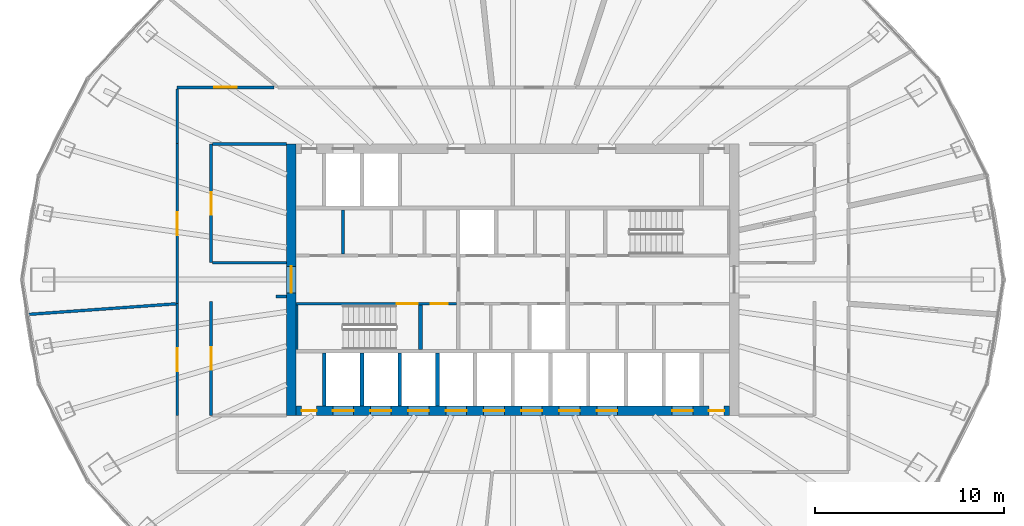
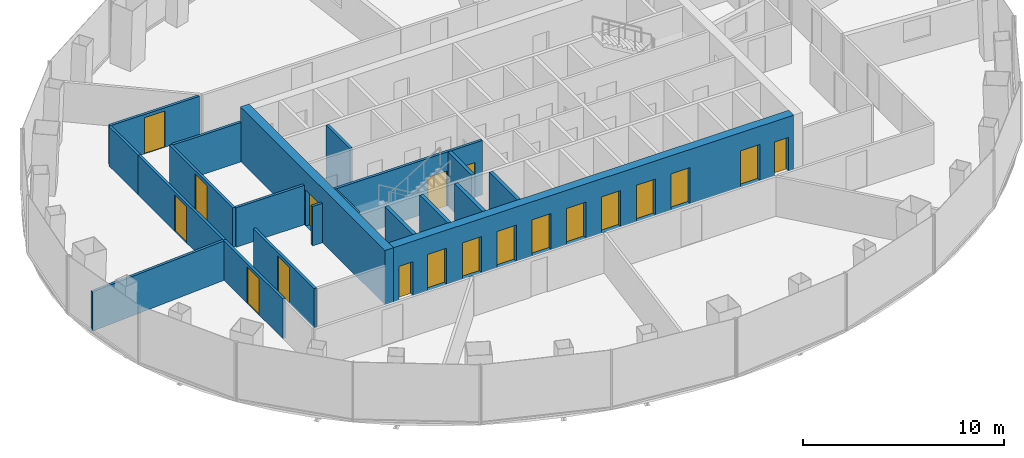
# One storey, part 8 of 12: 20 walls, 19 doors, 19 openings.
"""IFC4 building model written with IfcOpenShell, lengths in metres."""

from ifc_helpers import new_model, si_unit, direction, frame, frame_2d, origin, place, context, subcontext, project, spatial, rectangle, extrude, material, layer, layer_set, type_object, element, fill, save


model = new_model("IFC4")

# Units and contexts
model_context = context("Model", 3, precision=1e-05, world=origin(), true_north=direction((0.0, 1.0)))
body_context = subcontext(model_context, "Body", "Model", "MODEL_VIEW")
ifc_project = project(units=[si_unit("LENGTHUNIT", "METRE"), si_unit("AREAUNIT", "SQUARE_METRE"), si_unit("VOLUMEUNIT", "CUBIC_METRE"), si_unit("PLANEANGLEUNIT", "RADIAN"), si_unit("MASSUNIT", "GRAM", prefix="KILO")], contexts=[model_context])

# Site, building, storey
site_placement = place(None, origin())
site = spatial("IfcSite", under=ifc_project, at=site_placement, CompositionType="ELEMENT")
building_placement = place(site_placement, origin())
building = spatial("IfcBuilding", under=site, at=building_placement, Name="Siaravel Broadcast Tower", CompositionType="ELEMENT")
storey_placement = place(building_placement, frame((0.0, 0.0, 100.800048828125)))
storey = spatial("IfcBuildingStorey", under=building, at=storey_placement, Name="L23", CompositionType="ELEMENT", Elevation=100.800048828125)

# Wall
ifc_material_1 = material(Name="Concrete blockwork", Category="masonry")
ifc_layer_1 = layer(ifc_material_1, 0.14990234375)
ifc_layer_set_1 = layer_set([ifc_layer_1], Name="Concrete blockwork")
wall_type_1 = type_object("IfcWallType", Name="Core partition 150", PredefinedType="PARTITIONING", material=ifc_layer_set_1)
wall_1_placement = place(storey_placement, frame((-9.010009765625, 1.35009765625, 0.0), z_axis=(0.0, 0.0, 1.0), x_axis=(0.0, 1.0, 0.0)))
element("IfcWall", 1, at=wall_1_placement, inside=storey, type_object=wall_type_1, Name="L23 core partition PNW0", PredefinedType="PARTITIONING", context=body_context, shape_type="SweptSolid", body=[
    extrude(rectangle(XDim=2.349853515625, YDim=0.14990234375, at=frame_2d((1.1748046875, 0.0))), origin(), (0.0, 0.0, 1.0), 3.300048828125),
])

# Wall, opening, door
ifc_material_2 = material(Name="Concrete C60/75", Category="concrete")
ifc_layer_2 = layer(ifc_material_2, 0.5)
ifc_layer_set_2 = layer_set([ifc_layer_2], Name="Concrete C60/75")
wall_type_2 = type_object("IfcWallType", Name="Core wall 500", PredefinedType="SHEAR", material=ifc_layer_set_2)
wall_2_placement = place(storey_placement, frame((-11.75, -7.199951171875, 0.0), z_axis=(0.0, 0.0, 1.0), x_axis=(0.0, 1.0, 0.0)))
wall_2 = element("IfcWall", 2, at=wall_2_placement, inside=storey, type_object=wall_type_2, Name="L23 core wall OW", PredefinedType="SHEAR", context=body_context, shape_type="SweptSolid", body=[
    extrude(rectangle(XDim=14.39990234375, YDim=0.5, at=frame_2d((7.199951171875, 0.0))), origin(), (0.0, 0.0, 1.0), 3.300048828125),
])
opening_1_placement = place(wall_2_placement, frame((6.5, 0.0, 0.0)))
opening_1 = element("IfcOpeningElement", 3, at=opening_1_placement, cuts=wall_2, Name="Opening L23-DX-W", PredefinedType="OPENING", context=body_context, shape_type="SweptSolid", body=[
    extrude(rectangle(XDim=1.39990234375, YDim=2.199951171875, at=frame_2d((0.699951171875, 1.10009765625))), frame((0.0, 0.260009765625, 0.0), z_axis=(0.0, -1.0, 0.0), x_axis=(1.0, 0.0, 0.0)), (0.0, 0.0, 1.0), 0.52001953125),
])
ifc_material_3 = material(Name="Steel", Category="steel")
door_type_1 = type_object("IfcDoorType", Name="Core exit door 1400", OperationType="DOUBLE_DOOR_SINGLE_SWING", PredefinedType="DOOR", material=ifc_material_3)
door_1_placement = place(opening_1_placement, origin())
door_1 = element("IfcDoor", 4, at=door_1_placement, inside=storey, type_object=door_type_1, Name="L23 door DX-W", OperationType="DOUBLE_DOOR_SINGLE_SWING", OverallHeight=2.199951171875, OverallWidth=1.39990234375, PredefinedType="DOOR", context=body_context, shape_type="SweptSolid", body=[
    extrude(rectangle(XDim=1.39990234375, YDim=2.199951171875, at=frame_2d((0.699951171875, 1.10009765625))), frame((0.0, 0.02490234375, 0.0), z_axis=(0.0, -1.0, 0.0), x_axis=(1.0, 0.0, 0.0)), (0.0, 0.0, 1.0), 0.050048828125),
])
fill(opening_1, door_1)

# Wall, openings, doors
wall_3_placement = place(storey_placement, frame((-11.5, -6.949951171875, 0.0), z_axis=(0.0, 0.0, 1.0), x_axis=(1.0, 0.0, 0.0)))
wall_3 = element("IfcWall", 5, at=wall_3_placement, inside=storey, type_object=wall_type_2, Name="L23 core wall OS", PredefinedType="SHEAR", context=body_context, shape_type="SweptSolid", body=[
    extrude(rectangle(XDim=23.0, YDim=0.5, at=frame_2d((11.5, 0.0))), origin(), (0.0, 0.0, 1.0), 3.300048828125),
])
opening_2_placement = place(wall_3_placement, frame((1.949951171875, 0.0, 0.0)))
opening_2 = element("IfcOpeningElement", 6, at=opening_2_placement, cuts=wall_3, Name="Opening LD-LP1-L23", PredefinedType="OPENING", context=body_context, shape_type="SweptSolid", body=[
    extrude(rectangle(XDim=1.10009765625, YDim=2.199951171875, at=frame_2d((0.550048828125, 1.10009765625))), frame((0.0, 0.260009765625, 0.0), z_axis=(0.0, -1.0, 0.0), x_axis=(1.0, 0.0, 0.0)), (0.0, 0.0, 1.0), 0.52001953125),
])
opening_3_placement = place(wall_3_placement, frame((3.949951171875, 0.0, 0.0)))
opening_3 = element("IfcOpeningElement", 7, at=opening_3_placement, cuts=wall_3, Name="Opening LD-LP2-L23", PredefinedType="OPENING", context=body_context, shape_type="SweptSolid", body=[
    extrude(rectangle(XDim=1.10009765625, YDim=2.199951171875, at=frame_2d((0.550048828125, 1.10009765625))), frame((0.0, 0.260009765625, 0.0), z_axis=(0.0, -1.0, 0.0), x_axis=(1.0, 0.0, 0.0)), (0.0, 0.0, 1.0), 0.52001953125),
])
opening_4_placement = place(wall_3_placement, frame((5.949951171875, 0.0, 0.0)))
opening_4 = element("IfcOpeningElement", 8, at=opening_4_placement, cuts=wall_3, Name="Opening LD-LP3-L23", PredefinedType="OPENING", context=body_context, shape_type="SweptSolid", body=[
    extrude(rectangle(XDim=1.10009765625, YDim=2.199951171875, at=frame_2d((0.550048828125, 1.10009765625))), frame((0.0, 0.260009765625, 0.0), z_axis=(0.0, -1.0, 0.0), x_axis=(1.0, 0.0, 0.0)), (0.0, 0.0, 1.0), 0.52001953125),
])
opening_5_placement = place(wall_3_placement, frame((7.949951171875, 0.0, 0.0)))
opening_5 = element("IfcOpeningElement", 9, at=opening_5_placement, cuts=wall_3, Name="Opening LD-LP4-L23", PredefinedType="OPENING", context=body_context, shape_type="SweptSolid", body=[
    extrude(rectangle(XDim=1.10009765625, YDim=2.199951171875, at=frame_2d((0.550048828125, 1.10009765625))), frame((0.0, 0.260009765625, 0.0), z_axis=(0.0, -1.0, 0.0), x_axis=(1.0, 0.0, 0.0)), (0.0, 0.0, 1.0), 0.52001953125),
])
opening_6_placement = place(wall_3_placement, frame((9.949951171875, 0.0, 0.0)))
opening_6 = element("IfcOpeningElement", 10, at=opening_6_placement, cuts=wall_3, Name="Opening LD-LP5-L23", PredefinedType="OPENING", context=body_context, shape_type="SweptSolid", body=[
    extrude(rectangle(XDim=1.10009765625, YDim=2.199951171875, at=frame_2d((0.550048828125, 1.10009765625))), frame((0.0, 0.260009765625, 0.0), z_axis=(0.0, -1.0, 0.0), x_axis=(1.0, 0.0, 0.0)), (0.0, 0.0, 1.0), 0.52001953125),
])
opening_7_placement = place(wall_3_placement, frame((11.949951171875, 0.0, 0.0)))
opening_7 = element("IfcOpeningElement", 11, at=opening_7_placement, cuts=wall_3, Name="Opening LD-LP6-L23", PredefinedType="OPENING", context=body_context, shape_type="SweptSolid", body=[
    extrude(rectangle(XDim=1.10009765625, YDim=2.199951171875, at=frame_2d((0.550048828125, 1.10009765625))), frame((0.0, 0.260009765625, 0.0), z_axis=(0.0, -1.0, 0.0), x_axis=(1.0, 0.0, 0.0)), (0.0, 0.0, 1.0), 0.52001953125),
])
opening_8_placement = place(wall_3_placement, frame((13.949951171875, 0.0, 0.0)))
opening_8 = element("IfcOpeningElement", 12, at=opening_8_placement, cuts=wall_3, Name="Opening LD-LP7-L23", PredefinedType="OPENING", context=body_context, shape_type="SweptSolid", body=[
    extrude(rectangle(XDim=1.10009765625, YDim=2.199951171875, at=frame_2d((0.550048828125, 1.10009765625))), frame((0.0, 0.260009765625, 0.0), z_axis=(0.0, -1.0, 0.0), x_axis=(1.0, 0.0, 0.0)), (0.0, 0.0, 1.0), 0.52001953125),
])
opening_9_placement = place(wall_3_placement, frame((15.949951171875, 0.0, 0.0)))
opening_9 = element("IfcOpeningElement", 13, at=opening_9_placement, cuts=wall_3, Name="Opening LD-LP8-L23", PredefinedType="OPENING", context=body_context, shape_type="SweptSolid", body=[
    extrude(rectangle(XDim=1.10009765625, YDim=2.199951171875, at=frame_2d((0.550048828125, 1.10009765625))), frame((0.0, 0.260009765625, 0.0), z_axis=(0.0, -1.0, 0.0), x_axis=(1.0, 0.0, 0.0)), (0.0, 0.0, 1.0), 0.52001953125),
])
opening_10_placement = place(wall_3_placement, frame((19.949951171875, 0.0, 0.0)))
opening_10 = element("IfcOpeningElement", 14, at=opening_10_placement, cuts=wall_3, Name="Opening LD-SV1-L23", PredefinedType="OPENING", context=body_context, shape_type="SweptSolid", body=[
    extrude(rectangle(XDim=1.10009765625, YDim=2.199951171875, at=frame_2d((0.550048828125, 1.10009765625))), frame((0.0, 0.260009765625, 0.0), z_axis=(0.0, -1.0, 0.0), x_axis=(1.0, 0.0, 0.0)), (0.0, 0.0, 1.0), 0.52001953125),
])
opening_11_placement = place(wall_3_placement, frame((0.300048828125, 0.0, 0.0)))
opening_11 = element("IfcOpeningElement", 15, at=opening_11_placement, cuts=wall_3, Name="Opening L23-DRSW", PredefinedType="OPENING", context=body_context, shape_type="SweptSolid", body=[
    extrude(rectangle(XDim=0.800048828125, YDim=2.050048828125, at=frame_2d((0.39990234375, 1.02490234375))), frame((0.0, 0.260009765625, 0.0), z_axis=(0.0, -1.0, 0.0), x_axis=(1.0, 0.0, 0.0)), (0.0, 0.0, 1.0), 0.52001953125),
])
opening_12_placement = place(wall_3_placement, frame((21.89990234375, 0.0, 0.0)))
opening_12 = element("IfcOpeningElement", 16, at=opening_12_placement, cuts=wall_3, Name="Opening L23-DRSE", PredefinedType="OPENING", context=body_context, shape_type="SweptSolid", body=[
    extrude(rectangle(XDim=0.800048828125, YDim=2.050048828125, at=frame_2d((0.39990234375, 1.02490234375))), frame((0.0, 0.260009765625, 0.0), z_axis=(0.0, -1.0, 0.0), x_axis=(1.0, 0.0, 0.0)), (0.0, 0.0, 1.0), 0.52001953125),
])
ifc_material_4 = material(Name="Stainless steel 316L", Category="steel")
door_type_2 = type_object("IfcDoorType", Name="Lift landing door 1100", OperationType="DOUBLE_DOOR_SLIDING", PredefinedType="DOOR", material=ifc_material_4)
door_2_placement = place(opening_2_placement, origin())
door_2 = element("IfcDoor", 17, at=door_2_placement, inside=storey, type_object=door_type_2, Name="Landing door LP1 L23", OperationType="DOUBLE_DOOR_SLIDING", OverallHeight=2.199951171875, OverallWidth=1.10009765625, PredefinedType="DOOR", context=body_context, shape_type="SweptSolid", body=[
    extrude(rectangle(XDim=1.10009765625, YDim=2.199951171875, at=frame_2d((0.550048828125, 1.10009765625))), frame((0.0, 0.02490234375, 0.0), z_axis=(0.0, -1.0, 0.0), x_axis=(1.0, 0.0, 0.0)), (0.0, 0.0, 1.0), 0.050048828125),
])
fill(opening_2, door_2)
door_3_placement = place(opening_3_placement, origin())
door_3 = element("IfcDoor", 18, at=door_3_placement, inside=storey, type_object=door_type_2, Name="Landing door LP2 L23", OperationType="DOUBLE_DOOR_SLIDING", OverallHeight=2.199951171875, OverallWidth=1.10009765625, PredefinedType="DOOR", context=body_context, shape_type="SweptSolid", body=[
    extrude(rectangle(XDim=1.10009765625, YDim=2.199951171875, at=frame_2d((0.550048828125, 1.10009765625))), frame((0.0, 0.02490234375, 0.0), z_axis=(0.0, -1.0, 0.0), x_axis=(1.0, 0.0, 0.0)), (0.0, 0.0, 1.0), 0.050048828125),
])
fill(opening_3, door_3)
door_4_placement = place(opening_4_placement, origin())
door_4 = element("IfcDoor", 19, at=door_4_placement, inside=storey, type_object=door_type_2, Name="Landing door LP3 L23", OperationType="DOUBLE_DOOR_SLIDING", OverallHeight=2.199951171875, OverallWidth=1.10009765625, PredefinedType="DOOR", context=body_context, shape_type="SweptSolid", body=[
    extrude(rectangle(XDim=1.10009765625, YDim=2.199951171875, at=frame_2d((0.550048828125, 1.10009765625))), frame((0.0, 0.02490234375, 0.0), z_axis=(0.0, -1.0, 0.0), x_axis=(1.0, 0.0, 0.0)), (0.0, 0.0, 1.0), 0.050048828125),
])
fill(opening_4, door_4)
door_5_placement = place(opening_5_placement, origin())
door_5 = element("IfcDoor", 20, at=door_5_placement, inside=storey, type_object=door_type_2, Name="Landing door LP4 L23", OperationType="DOUBLE_DOOR_SLIDING", OverallHeight=2.199951171875, OverallWidth=1.10009765625, PredefinedType="DOOR", context=body_context, shape_type="SweptSolid", body=[
    extrude(rectangle(XDim=1.10009765625, YDim=2.199951171875, at=frame_2d((0.550048828125, 1.10009765625))), frame((0.0, 0.02490234375, 0.0), z_axis=(0.0, -1.0, 0.0), x_axis=(1.0, 0.0, 0.0)), (0.0, 0.0, 1.0), 0.050048828125),
])
fill(opening_5, door_5)
door_6_placement = place(opening_6_placement, origin())
door_6 = element("IfcDoor", 21, at=door_6_placement, inside=storey, type_object=door_type_2, Name="Landing door LP5 L23", OperationType="DOUBLE_DOOR_SLIDING", OverallHeight=2.199951171875, OverallWidth=1.10009765625, PredefinedType="DOOR", context=body_context, shape_type="SweptSolid", body=[
    extrude(rectangle(XDim=1.10009765625, YDim=2.199951171875, at=frame_2d((0.550048828125, 1.10009765625))), frame((0.0, 0.02490234375, 0.0), z_axis=(0.0, -1.0, 0.0), x_axis=(1.0, 0.0, 0.0)), (0.0, 0.0, 1.0), 0.050048828125),
])
fill(opening_6, door_6)
door_7_placement = place(opening_7_placement, origin())
door_7 = element("IfcDoor", 22, at=door_7_placement, inside=storey, type_object=door_type_2, Name="Landing door LP6 L23", OperationType="DOUBLE_DOOR_SLIDING", OverallHeight=2.199951171875, OverallWidth=1.10009765625, PredefinedType="DOOR", context=body_context, shape_type="SweptSolid", body=[
    extrude(rectangle(XDim=1.10009765625, YDim=2.199951171875, at=frame_2d((0.550048828125, 1.10009765625))), frame((0.0, 0.02490234375, 0.0), z_axis=(0.0, -1.0, 0.0), x_axis=(1.0, 0.0, 0.0)), (0.0, 0.0, 1.0), 0.050048828125),
])
fill(opening_7, door_7)
door_8_placement = place(opening_8_placement, origin())
door_8 = element("IfcDoor", 23, at=door_8_placement, inside=storey, type_object=door_type_2, Name="Landing door LP7 L23", OperationType="DOUBLE_DOOR_SLIDING", OverallHeight=2.199951171875, OverallWidth=1.10009765625, PredefinedType="DOOR", context=body_context, shape_type="SweptSolid", body=[
    extrude(rectangle(XDim=1.10009765625, YDim=2.199951171875, at=frame_2d((0.550048828125, 1.10009765625))), frame((0.0, 0.02490234375, 0.0), z_axis=(0.0, -1.0, 0.0), x_axis=(1.0, 0.0, 0.0)), (0.0, 0.0, 1.0), 0.050048828125),
])
fill(opening_8, door_8)
door_9_placement = place(opening_9_placement, origin())
door_9 = element("IfcDoor", 24, at=door_9_placement, inside=storey, type_object=door_type_2, Name="Landing door LP8 L23", OperationType="DOUBLE_DOOR_SLIDING", OverallHeight=2.199951171875, OverallWidth=1.10009765625, PredefinedType="DOOR", context=body_context, shape_type="SweptSolid", body=[
    extrude(rectangle(XDim=1.10009765625, YDim=2.199951171875, at=frame_2d((0.550048828125, 1.10009765625))), frame((0.0, 0.02490234375, 0.0), z_axis=(0.0, -1.0, 0.0), x_axis=(1.0, 0.0, 0.0)), (0.0, 0.0, 1.0), 0.050048828125),
])
fill(opening_9, door_9)
door_type_3 = type_object("IfcDoorType", Name="Riser door 800", OperationType="SINGLE_SWING_LEFT", PredefinedType="DOOR", material=ifc_material_3)
door_10_placement = place(opening_11_placement, origin())
door_10 = element("IfcDoor", 25, at=door_10_placement, inside=storey, type_object=door_type_3, Name="L23 door DRSW", OperationType="SINGLE_SWING_LEFT", OverallHeight=2.050048828125, OverallWidth=0.800048828125, PredefinedType="DOOR", context=body_context, shape_type="SweptSolid", body=[
    extrude(rectangle(XDim=0.800048828125, YDim=2.050048828125, at=frame_2d((0.39990234375, 1.02490234375))), frame((0.0, 0.02490234375, 0.0), z_axis=(0.0, -1.0, 0.0), x_axis=(1.0, 0.0, 0.0)), (0.0, 0.0, 1.0), 0.050048828125),
])
fill(opening_11, door_10)
door_11_placement = place(opening_12_placement, origin())
door_11 = element("IfcDoor", 26, at=door_11_placement, inside=storey, type_object=door_type_3, Name="L23 door DRSE", OperationType="SINGLE_SWING_LEFT", OverallHeight=2.050048828125, OverallWidth=0.800048828125, PredefinedType="DOOR", context=body_context, shape_type="SweptSolid", body=[
    extrude(rectangle(XDim=0.800048828125, YDim=2.050048828125, at=frame_2d((0.39990234375, 1.02490234375))), frame((0.0, 0.02490234375, 0.0), z_axis=(0.0, -1.0, 0.0), x_axis=(1.0, 0.0, 0.0)), (0.0, 0.0, 1.0), 0.050048828125),
])
fill(opening_12, door_11)
door_type_4 = type_object("IfcDoorType", Name="Service lift landing door 1100", OperationType="DOUBLE_DOOR_SLIDING", PredefinedType="DOOR", material=ifc_material_4)
door_12_placement = place(opening_10_placement, origin())
door_12 = element("IfcDoor", 27, at=door_12_placement, inside=storey, type_object=door_type_4, Name="Landing door SV1 L23", OperationType="DOUBLE_DOOR_SLIDING", OverallHeight=2.199951171875, OverallWidth=1.10009765625, PredefinedType="DOOR", context=body_context, shape_type="SweptSolid", body=[
    extrude(rectangle(XDim=1.10009765625, YDim=2.199951171875, at=frame_2d((0.550048828125, 1.10009765625))), frame((0.0, 0.02490234375, 0.0), z_axis=(0.0, -1.0, 0.0), x_axis=(1.0, 0.0, 0.0)), (0.0, 0.0, 1.0), 0.050048828125),
])
fill(opening_10, door_12)

# Wall, opening, door
ifc_material_5 = material(Name="Gypsum board partition", Category="gypsum")
ifc_layer_3 = layer(ifc_material_5, 0.14990234375)
ifc_layer_set_3 = layer_set([ifc_layer_3], Name="Gypsum board partition")
wall_type_3 = type_object("IfcWallType", Name="Corridor wall 150", PredefinedType="PARTITIONING", material=ifc_layer_set_3)
wall_4_placement = place(storey_placement, frame((-17.800048828125, 7.2119140625, 0.0), z_axis=(0.0, 0.0, 1.0), x_axis=(0.0, -1.0, 0.0)))
wall_4 = element("IfcWall", 28, at=wall_4_placement, inside=storey, type_object=wall_type_3, Name="L23 partition 11", PredefinedType="PARTITIONING", context=body_context, shape_type="SweptSolid", body=[
    extrude(rectangle(XDim=8.487548828125, YDim=0.14990234375, at=frame_2d((4.24365234375, 0.0))), origin(), (0.0, 0.0, 1.0), 2.39990234375),
])
opening_13_placement = place(wall_4_placement, frame((3.643798828125, 0.0, 0.0)))
opening_13 = element("IfcOpeningElement", 29, at=opening_13_placement, cuts=wall_4, Name="Opening L23-002", PredefinedType="OPENING", context=body_context, shape_type="SweptSolid", body=[
    extrude(rectangle(XDim=1.199951171875, YDim=2.199951171875, at=frame_2d((0.60009765625, 1.10009765625))), frame((0.0, 0.0849609375, 0.0), z_axis=(0.0, -1.0, 0.0), x_axis=(1.0, 0.0, 0.0)), (0.0, 0.0, 1.0), 0.169921875),
])
ifc_material_6 = material(Name="Timber veneer", Category="wood")
door_type_5 = type_object("IfcDoorType", Name="Office double door 1200", OperationType="DOUBLE_DOOR_SINGLE_SWING", PredefinedType="DOOR", material=ifc_material_6)
door_13_placement = place(opening_13_placement, origin())
door_13 = element("IfcDoor", 30, at=door_13_placement, inside=storey, type_object=door_type_5, Name="L23 door to Open plan production office", OperationType="DOUBLE_DOOR_SINGLE_SWING", OverallHeight=2.199951171875, OverallWidth=1.199951171875, PredefinedType="DOOR", context=body_context, shape_type="SweptSolid", body=[
    extrude(rectangle(XDim=1.199951171875, YDim=2.199951171875, at=frame_2d((0.60009765625, 1.10009765625))), frame((0.0, 0.02490234375, 0.0), z_axis=(0.0, -1.0, 0.0), x_axis=(1.0, 0.0, 0.0)), (0.0, 0.0, 1.0), 0.050048828125),
])
fill(opening_13, door_13)

wall_5_placement = place(storey_placement, frame((-16.0, 0.89990234375, 0.0), z_axis=(0.0, 0.0, 1.0), x_axis=(0.0, 1.0, 0.0)))
wall_5 = element("IfcWall", 31, at=wall_5_placement, inside=storey, type_object=wall_type_3, Name="L23 partition 17", PredefinedType="PARTITIONING", context=body_context, shape_type="SweptSolid", body=[
    extrude(rectangle(XDim=6.300048828125, YDim=0.14990234375, at=frame_2d((3.14990234375, 0.0))), origin(), (0.0, 0.0, 1.0), 2.39990234375),
])
opening_14_placement = place(wall_5_placement, frame((2.550048828125, 0.0, 0.0)))
opening_14 = element("IfcOpeningElement", 32, at=opening_14_placement, cuts=wall_5, Name="Opening L23-004", PredefinedType="OPENING", context=body_context, shape_type="SweptSolid", body=[
    extrude(rectangle(XDim=1.199951171875, YDim=2.199951171875, at=frame_2d((0.60009765625, 1.10009765625))), frame((0.0, 0.0849609375, 0.0), z_axis=(0.0, -1.0, 0.0), x_axis=(1.0, 0.0, 0.0)), (0.0, 0.0, 1.0), 0.169921875),
])
door_14_placement = place(opening_14_placement, origin())
door_14 = element("IfcDoor", 33, at=door_14_placement, inside=storey, type_object=door_type_5, Name="L23 door to Open plan production office", OperationType="DOUBLE_DOOR_SINGLE_SWING", OverallHeight=2.199951171875, OverallWidth=1.199951171875, PredefinedType="DOOR", context=body_context, shape_type="SweptSolid", body=[
    extrude(rectangle(XDim=1.199951171875, YDim=2.199951171875, at=frame_2d((0.60009765625, 1.10009765625))), frame((0.0, 0.02490234375, 0.0), z_axis=(0.0, -1.0, 0.0), x_axis=(1.0, 0.0, 0.0)), (0.0, 0.0, 1.0), 0.050048828125),
])
fill(opening_14, door_14)

wall_6_placement = place(storey_placement, frame((-16.0, -7.199951171875, 0.0), z_axis=(0.0, 0.0, 1.0), x_axis=(0.0, 1.0, 0.0)))
wall_6 = element("IfcWall", 34, at=wall_6_placement, inside=storey, type_object=wall_type_3, Name="L23 partition 18", PredefinedType="PARTITIONING", context=body_context, shape_type="SweptSolid", body=[
    extrude(rectangle(XDim=6.053466796875, YDim=0.14990234375, at=frame_2d((3.02685546875, 0.0))), origin(), (0.0, 0.0, 1.0), 2.39990234375),
])
opening_15_placement = place(wall_6_placement, frame((2.4267578125, 0.0, 0.0)))
opening_15 = element("IfcOpeningElement", 35, at=opening_15_placement, cuts=wall_6, Name="Opening L23-007", PredefinedType="OPENING", context=body_context, shape_type="SweptSolid", body=[
    extrude(rectangle(XDim=1.199951171875, YDim=2.199951171875, at=frame_2d((0.60009765625, 1.10009765625))), frame((0.0, 0.0849609375, 0.0), z_axis=(0.0, -1.0, 0.0), x_axis=(1.0, 0.0, 0.0)), (0.0, 0.0, 1.0), 0.169921875),
])
door_15_placement = place(opening_15_placement, origin())
door_15 = element("IfcDoor", 36, at=door_15_placement, inside=storey, type_object=door_type_5, Name="L23 door to Open plan production office", OperationType="DOUBLE_DOOR_SINGLE_SWING", OverallHeight=2.199951171875, OverallWidth=1.199951171875, PredefinedType="DOOR", context=body_context, shape_type="SweptSolid", body=[
    extrude(rectangle(XDim=1.199951171875, YDim=2.199951171875, at=frame_2d((0.60009765625, 1.10009765625))), frame((0.0, 0.02490234375, 0.0), z_axis=(0.0, -1.0, 0.0), x_axis=(1.0, 0.0, 0.0)), (0.0, 0.0, 1.0), 0.050048828125),
])
fill(opening_15, door_15)

wall_7_placement = place(storey_placement, frame((-17.800048828125, -1.275634765625, 0.0), z_axis=(0.0, 0.0, 1.0), x_axis=(0.0, -1.0, 0.0)))
wall_7 = element("IfcWall", 37, at=wall_7_placement, inside=storey, type_object=wall_type_3, Name="L23 partition 20", PredefinedType="PARTITIONING", context=body_context, shape_type="SweptSolid", body=[
    extrude(rectangle(XDim=5.936279296875, YDim=0.14990234375, at=frame_2d((2.96826171875, 0.0))), origin(), (0.0, 0.0, 1.0), 2.39990234375),
])
opening_16_placement = place(wall_7_placement, frame((2.3681640625, 0.0, 0.0)))
opening_16 = element("IfcOpeningElement", 38, at=opening_16_placement, cuts=wall_7, Name="Opening L23-006", PredefinedType="OPENING", context=body_context, shape_type="SweptSolid", body=[
    extrude(rectangle(XDim=1.199951171875, YDim=2.199951171875, at=frame_2d((0.60009765625, 1.10009765625))), frame((0.0, 0.0849609375, 0.0), z_axis=(0.0, -1.0, 0.0), x_axis=(1.0, 0.0, 0.0)), (0.0, 0.0, 1.0), 0.169921875),
])
door_16_placement = place(opening_16_placement, origin())
door_16 = element("IfcDoor", 39, at=door_16_placement, inside=storey, type_object=door_type_5, Name="L23 door to Open plan production office", OperationType="DOUBLE_DOOR_SINGLE_SWING", OverallHeight=2.199951171875, OverallWidth=1.199951171875, PredefinedType="DOOR", context=body_context, shape_type="SweptSolid", body=[
    extrude(rectangle(XDim=1.199951171875, YDim=2.199951171875, at=frame_2d((0.60009765625, 1.10009765625))), frame((0.0, 0.02490234375, 0.0), z_axis=(0.0, -1.0, 0.0), x_axis=(1.0, 0.0, 0.0)), (0.0, 0.0, 1.0), 0.050048828125),
])
fill(opening_16, door_16)

wall_8_placement = place(storey_placement, frame((-12.66455078125, 10.199951171875, 0.0), z_axis=(0.0, 0.0, 1.0), x_axis=(-1.0, 0.0, 0.0)))
wall_8 = element("IfcWall", 40, at=wall_8_placement, inside=storey, type_object=wall_type_3, Name="L23 partition 22", PredefinedType="PARTITIONING", context=body_context, shape_type="SweptSolid", body=[
    extrude(rectangle(XDim=5.135498046875, YDim=0.14990234375, at=frame_2d((2.56787109375, 0.0))), origin(), (0.0, 0.0, 1.0), 2.39990234375),
])
opening_17_placement = place(wall_8_placement, frame((1.9677734375, 0.0, 0.0)))
opening_17 = element("IfcOpeningElement", 41, at=opening_17_placement, cuts=wall_8, Name="Opening L23-003", PredefinedType="OPENING", context=body_context, shape_type="SweptSolid", body=[
    extrude(rectangle(XDim=1.199951171875, YDim=2.199951171875, at=frame_2d((0.60009765625, 1.10009765625))), frame((0.0, 0.0849609375, 0.0), z_axis=(0.0, -1.0, 0.0), x_axis=(1.0, 0.0, 0.0)), (0.0, 0.0, 1.0), 0.169921875),
])
door_17_placement = place(opening_17_placement, origin())
door_17 = element("IfcDoor", 42, at=door_17_placement, inside=storey, type_object=door_type_5, Name="L23 door to Open plan production office", OperationType="DOUBLE_DOOR_SINGLE_SWING", OverallHeight=2.199951171875, OverallWidth=1.199951171875, PredefinedType="DOOR", context=body_context, shape_type="SweptSolid", body=[
    extrude(rectangle(XDim=1.199951171875, YDim=2.199951171875, at=frame_2d((0.60009765625, 1.10009765625))), frame((0.0, 0.02490234375, 0.0), z_axis=(0.0, -1.0, 0.0), x_axis=(1.0, 0.0, 0.0)), (0.0, 0.0, 1.0), 0.050048828125),
])
fill(opening_17, door_17)

# Walls
for number, where, z_axis, x_axis, name in (
    (43, (-15.923095703125, 7.199951171875, 0.0), (0.0, 0.0, 1.0), (1.0, 0.0, 0.0), "L23 partition 26"),
    (44, (-12.0, 0.89990234375, 0.0), (0.0, 0.0, 1.0), (-1.0, 0.0, 0.0), "L23 partition 28"),
):
    element("IfcWall", number, at=place(storey_placement, frame(where, z_axis=z_axis, x_axis=x_axis)), inside=storey, type_object=wall_type_3, Name=name, PredefinedType="PARTITIONING", context=body_context, shape_type="SweptSolid", body=[
        extrude(rectangle(XDim=3.923095703125, YDim=0.14990234375, at=frame_2d((1.96142578125, 0.0))), origin(), (0.0, 0.0, 1.0), 2.39990234375),
    ])
wall_9_placement = place(storey_placement, frame((-17.800048828125, 10.123046875, 0.0), z_axis=(0.0, 0.0, 1.0), x_axis=(0.0, -1.0, 0.0)))
element("IfcWall", 45, at=wall_9_placement, inside=storey, type_object=wall_type_3, Name="L23 partition 37", PredefinedType="PARTITIONING", context=body_context, shape_type="SweptSolid", body=[
    extrude(rectangle(XDim=2.91015625, YDim=0.14990234375, at=frame_2d((1.455078125, 0.0))), origin(), (0.0, 0.0, 1.0), 2.39990234375),
])
wall_10_placement = place(storey_placement, frame((-12.558837890625, -0.89990234375, 0.0), z_axis=(0.0, 0.0, 1.0), x_axis=(1.0, 0.0, 0.0)))
element("IfcWall", 46, at=wall_10_placement, inside=storey, type_object=wall_type_3, Name="L23 partition 40", PredefinedType="PARTITIONING", context=body_context, shape_type="SweptSolid", body=[
    extrude(rectangle(XDim=0.558837890625, YDim=0.14990234375, at=frame_2d((0.279296875, 0.0))), origin(), (0.0, 0.0, 1.0), 2.39990234375),
])
ifc_layer_4 = layer(ifc_material_5, 0.14990234375)
ifc_layer_set_4 = layer_set([ifc_layer_4], Name="Gypsum board partition")
wall_type_4 = type_object("IfcWallType", Name="Room partition 150", PredefinedType="PARTITIONING", material=ifc_layer_set_4)
wall_11_placement = place(storey_placement, frame((-25.7705078125, -1.8466796875, 0.0), z_axis=(0.0, 0.0, 1.0), x_axis=(0.997442231, 0.071477241, 0.0)))
element("IfcWall", 47, at=wall_11_placement, inside=storey, type_object=wall_type_4, Name="L23 partition 13", PredefinedType="PARTITIONING", context=body_context, shape_type="SweptSolid", body=[
    extrude(rectangle(XDim=7.9140625, YDim=0.14990234375, at=frame_2d((3.95703125, 0.0))), origin(), (0.0, 0.0, 1.0), 2.39990234375),
])
ifc_layer_5 = layer(ifc_material_2, 0.10009765625)
ifc_layer_set_5 = layer_set([ifc_layer_5], Name="Concrete C60/75")
wall_type_5 = type_object("IfcWallType", Name="Shaft wall 100", PredefinedType="SHEAR", material=ifc_layer_set_5)
wall_12_placement = place(storey_placement, frame((-11.449951171875, -3.699951171875, 0.0), z_axis=(0.0, 0.0, 1.0), x_axis=(0.0, 1.0, 0.0)))
element("IfcWall", 48, at=wall_12_placement, inside=storey, type_object=wall_type_5, Name="L23 core wall ST1W", PredefinedType="SHEAR", context=body_context, shape_type="SweptSolid", body=[
    extrude(rectangle(XDim=2.349853515625, YDim=0.10009765625, at=frame_2d((1.1748046875, 0.0))), origin(), (0.0, 0.0, 1.0), 3.300048828125),
])

# Wall, openings, doors
ifc_layer_6 = layer(ifc_material_2, 0.14990234375)
ifc_layer_set_6 = layer_set([ifc_layer_6], Name="Concrete C60/75")
wall_type_6 = type_object("IfcWallType", Name="Shaft wall 150", PredefinedType="SHEAR", material=ifc_layer_set_6)
wall_13_placement = place(storey_placement, frame((-11.5, -1.27490234375, 0.0), z_axis=(0.0, 0.0, 1.0), x_axis=(1.0, 0.0, 0.0)))
wall_13 = element("IfcWall", 49, at=wall_13_placement, inside=storey, type_object=wall_type_6, Name="L23 core wall CSW", PredefinedType="SHEAR", context=body_context, shape_type="SweptSolid", body=[
    extrude(rectangle(XDim=8.5, YDim=0.14990234375, at=frame_2d((4.25, 0.0))), origin(), (0.0, 0.0, 1.0), 3.300048828125),
])
opening_18_placement = place(wall_13_placement, frame((5.35009765625, 0.0, 0.0)))
opening_18 = element("IfcOpeningElement", 50, at=opening_18_placement, cuts=wall_13, Name="Opening L23-DS-1", PredefinedType="OPENING", context=body_context, shape_type="SweptSolid", body=[
    extrude(rectangle(XDim=1.10009765625, YDim=2.14990234375, at=frame_2d((0.550048828125, 1.074951171875))), frame((0.0, 0.0849609375, 0.0), z_axis=(0.0, -1.0, 0.0), x_axis=(1.0, 0.0, 0.0)), (0.0, 0.0, 1.0), 0.169921875),
])
opening_19_placement = place(wall_13_placement, frame((7.14990234375, 0.0, 0.0)))
opening_19 = element("IfcOpeningElement", 51, at=opening_19_placement, cuts=wall_13, Name="Opening L23-DSW0", PredefinedType="OPENING", context=body_context, shape_type="SweptSolid", body=[
    extrude(rectangle(XDim=0.89990234375, YDim=2.10009765625, at=frame_2d((0.449951171875, 1.050048828125))), frame((0.0, 0.0849609375, 0.0), z_axis=(0.0, -1.0, 0.0), x_axis=(1.0, 0.0, 0.0)), (0.0, 0.0, 1.0), 0.169921875),
])
door_type_6 = type_object("IfcDoorType", Name="Core room door 900", OperationType="SINGLE_SWING_LEFT", PredefinedType="DOOR", material=ifc_material_6)
door_18_placement = place(opening_19_placement, origin())
door_18 = element("IfcDoor", 52, at=door_18_placement, inside=storey, type_object=door_type_6, Name="L23 door DSW0", OperationType="SINGLE_SWING_LEFT", OverallHeight=2.10009765625, OverallWidth=0.89990234375, PredefinedType="DOOR", context=body_context, shape_type="SweptSolid", body=[
    extrude(rectangle(XDim=0.89990234375, YDim=2.10009765625, at=frame_2d((0.449951171875, 1.050048828125))), frame((0.0, 0.02490234375, 0.0), z_axis=(0.0, -1.0, 0.0), x_axis=(1.0, 0.0, 0.0)), (0.0, 0.0, 1.0), 0.050048828125),
])
fill(opening_19, door_18)
door_type_7 = type_object("IfcDoorType", Name="Stair door 1100", OperationType="SINGLE_SWING_LEFT", PredefinedType="DOOR", material=ifc_material_3)
door_19_placement = place(opening_18_placement, origin())
door_19 = element("IfcDoor", 53, at=door_19_placement, inside=storey, type_object=door_type_7, Name="L23 door DS-1", OperationType="SINGLE_SWING_LEFT", OverallHeight=2.14990234375, OverallWidth=1.10009765625, PredefinedType="DOOR", context=body_context, shape_type="SweptSolid", body=[
    extrude(rectangle(XDim=1.10009765625, YDim=2.14990234375, at=frame_2d((0.550048828125, 1.074951171875))), frame((0.0, 0.02490234375, 0.0), z_axis=(0.0, -1.0, 0.0), x_axis=(1.0, 0.0, 0.0)), (0.0, 0.0, 1.0), 0.050048828125),
])
fill(opening_18, door_19)

# Walls
ifc_layer_7 = layer(ifc_material_2, 0.199951171875)
ifc_layer_set_7 = layer_set([ifc_layer_7], Name="Concrete C60/75")
wall_type_7 = type_object("IfcWallType", Name="Shaft wall 200", PredefinedType="SHEAR", material=ifc_layer_set_7)
for number, where, z_axis, x_axis, name in (
    (54, (-10.0, -6.699951171875, 0.0), (0.0, 0.0, 1.0), (0.0, 1.0, 0.0), "L23 core wall SWS0"),
    (55, (-8.0, -6.699951171875, 0.0), (0.0, 0.0, 1.0), (0.0, 1.0, 0.0), "L23 core wall SWS1"),
    (56, (-6.0, -6.699951171875, 0.0), (0.0, 0.0, 1.0), (0.0, 1.0, 0.0), "L23 core wall SWS2"),
    (57, (-4.0, -6.699951171875, 0.0), (0.0, 0.0, 1.0), (0.0, 1.0, 0.0), "L23 core wall SWS3"),
):
    element("IfcWall", number, at=place(storey_placement, frame(where, z_axis=z_axis, x_axis=x_axis)), inside=storey, type_object=wall_type_7, Name=name, PredefinedType="SHEAR", context=body_context, shape_type="SweptSolid", body=[
        extrude(rectangle(XDim=2.800048828125, YDim=0.199951171875, at=frame_2d((1.39990234375, 0.0))), origin(), (0.0, 0.0, 1.0), 3.300048828125),
    ])
wall_14_placement = place(storey_placement, frame((-4.89990234375, -3.699951171875, 0.0), z_axis=(0.0, 0.0, 1.0), x_axis=(0.0, 1.0, 0.0)))
element("IfcWall", 58, at=wall_14_placement, inside=storey, type_object=wall_type_7, Name="L23 core wall ST1E", PredefinedType="SHEAR", context=body_context, shape_type="SweptSolid", body=[
    extrude(rectangle(XDim=2.349853515625, YDim=0.199951171875, at=frame_2d((1.1748046875, 0.0))), origin(), (0.0, 0.0, 1.0), 3.300048828125),
])

save(model, "model.ifc")
